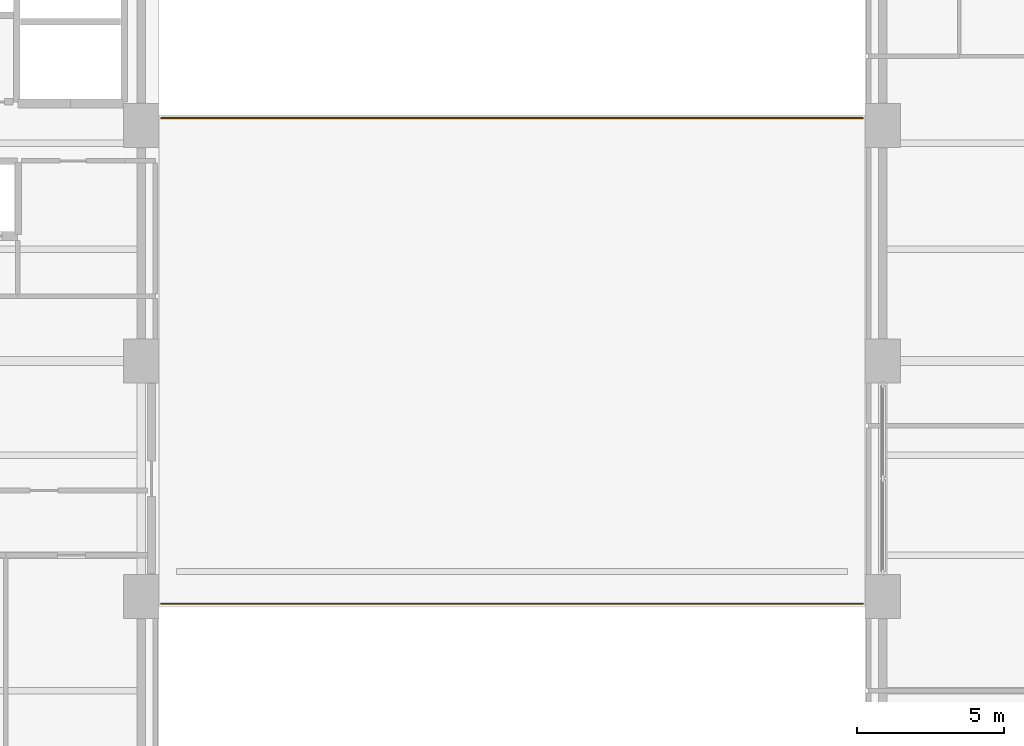
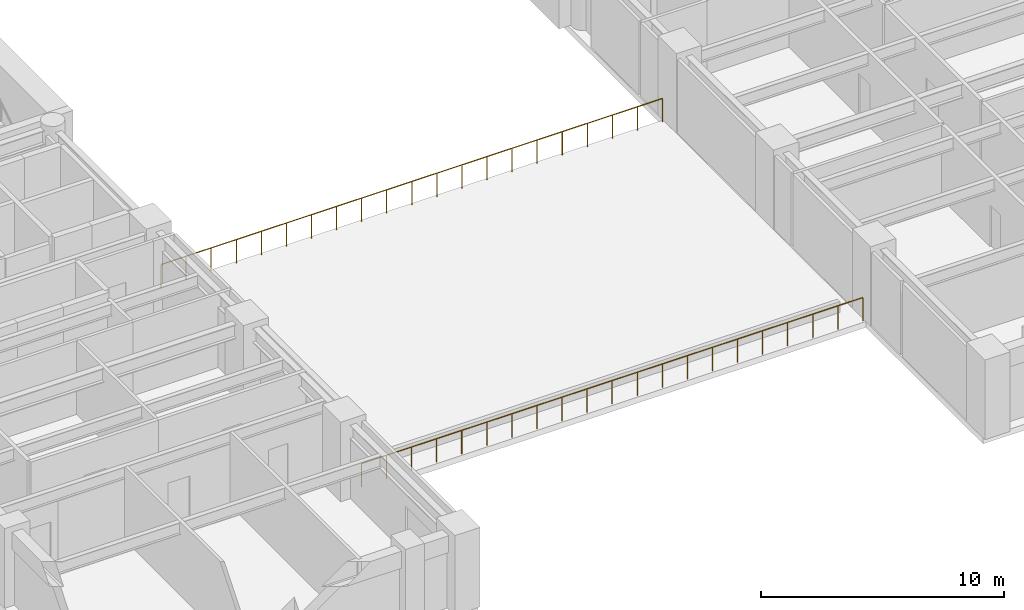
# One storey, part 8 of 10: 2 railings.
"""IFC4 building model written with IfcOpenShell, lengths in metres."""

from ifc_helpers import new_model, si_unit, direction, frame, origin, origin_2d, place, context, subcontext, project, spatial, circle, extrude, material, type_object, element, save


model = new_model("IFC4")

# Units and contexts
model_context = context("Model", 3, precision=1e-05, world=origin(), true_north=direction((0.0, 1.0)))
body_context = subcontext(model_context, "Body", "Model", "MODEL_VIEW")
ifc_project = project(units=[si_unit("LENGTHUNIT", "METRE"), si_unit("AREAUNIT", "SQUARE_METRE"), si_unit("VOLUMEUNIT", "CUBIC_METRE"), si_unit("PLANEANGLEUNIT", "RADIAN"), si_unit("MASSUNIT", "GRAM", prefix="KILO")], contexts=[model_context])

# Site, building, storey
site_placement = place(None, origin())
site = spatial("IfcSite", under=ifc_project, at=site_placement, CompositionType="ELEMENT")
building_placement = place(site_placement, origin())
building = spatial("IfcBuilding", under=site, at=building_placement, Name="Sulina Concourse Tower", CompositionType="ELEMENT")
storey_placement = place(building_placement, frame((0.0, 0.0, 30.60009765625)))
storey = spatial("IfcBuildingStorey", under=building, at=storey_placement, Name="L07", CompositionType="ELEMENT", Elevation=30.60009765625)

# Railings
ifc_material = material(Name="Laminated glass balustrade and steel post", Category="steel")
railing_type = type_object("IfcRailingType", Name="Terrace & Sky-Pool Laminated Guardrail 1200mm", PredefinedType="GUARDRAIL", material=ifc_material)
railing_1_placement = place(storey_placement, frame((17.080078125, 9.75, 0.0)))
element("IfcRailing", 1, at=railing_1_placement, inside=storey, type_object=railing_type, Name="L07 terrace guardrail TER-LP2-1", PredefinedType="GUARDRAIL", context=body_context, shape_type="SweptSolid", body=[
    extrude(circle(Radius=0.02490234375, at=origin_2d()), frame((0.0, 0.0, 1.1748046875), z_axis=(1.0, 0.0, 0.0), x_axis=(0.0, 1.0, 0.0)), (0.0, 0.0, 1.0), 23.83984375),
    extrude(circle(Radius=0.02099609375, at=origin_2d()), origin(), (0.0, 0.0, 1.0), 1.14990234375),
    extrude(circle(Radius=0.02099609375, at=origin_2d()), frame((1.19189453125, 0.0, 0.0)), (0.0, 0.0, 1.0), 1.14990234375),
    extrude(circle(Radius=0.02099609375, at=origin_2d()), frame((2.384033203125, 0.0, 0.0)), (0.0, 0.0, 1.0), 1.14990234375),
    extrude(circle(Radius=0.02099609375, at=origin_2d()), frame((3.575927734375, 0.0, 0.0)), (0.0, 0.0, 1.0), 1.14990234375),
    extrude(circle(Radius=0.02099609375, at=origin_2d()), frame((4.76806640625, 0.0, 0.0)), (0.0, 0.0, 1.0), 1.14990234375),
    extrude(circle(Radius=0.02099609375, at=origin_2d()), frame((5.9599609375, 0.0, 0.0)), (0.0, 0.0, 1.0), 1.14990234375),
    extrude(circle(Radius=0.02099609375, at=origin_2d()), frame((7.15185546875, 0.0, 0.0)), (0.0, 0.0, 1.0), 1.14990234375),
    extrude(circle(Radius=0.02099609375, at=origin_2d()), frame((8.343994140625, 0.0, 0.0)), (0.0, 0.0, 1.0), 1.14990234375),
    extrude(circle(Radius=0.02099609375, at=origin_2d()), frame((9.535888671875, 0.0, 0.0)), (0.0, 0.0, 1.0), 1.14990234375),
    extrude(circle(Radius=0.02099609375, at=origin_2d()), frame((10.72802734375, 0.0, 0.0)), (0.0, 0.0, 1.0), 1.14990234375),
    extrude(circle(Radius=0.02099609375, at=origin_2d()), frame((11.919921875, 0.0, 0.0)), (0.0, 0.0, 1.0), 1.14990234375),
    extrude(circle(Radius=0.02099609375, at=origin_2d()), frame((13.11181640625, 0.0, 0.0)), (0.0, 0.0, 1.0), 1.14990234375),
    extrude(circle(Radius=0.02099609375, at=origin_2d()), frame((14.303955078125, 0.0, 0.0)), (0.0, 0.0, 1.0), 1.14990234375),
    extrude(circle(Radius=0.02099609375, at=origin_2d()), frame((15.495849609375, 0.0, 0.0)), (0.0, 0.0, 1.0), 1.14990234375),
    extrude(circle(Radius=0.02099609375, at=origin_2d()), frame((16.68798828125, 0.0, 0.0)), (0.0, 0.0, 1.0), 1.14990234375),
    extrude(circle(Radius=0.02099609375, at=origin_2d()), frame((17.8798828125, 0.0, 0.0)), (0.0, 0.0, 1.0), 1.14990234375),
    extrude(circle(Radius=0.02099609375, at=origin_2d()), frame((19.07177734375, 0.0, 0.0)), (0.0, 0.0, 1.0), 1.14990234375),
    extrude(circle(Radius=0.02099609375, at=origin_2d()), frame((20.263916015625, 0.0, 0.0)), (0.0, 0.0, 1.0), 1.14990234375),
    extrude(circle(Radius=0.02099609375, at=origin_2d()), frame((21.455810546875, 0.0, 0.0)), (0.0, 0.0, 1.0), 1.14990234375),
    extrude(circle(Radius=0.02099609375, at=origin_2d()), frame((22.64794921875, 0.0, 0.0)), (0.0, 0.0, 1.0), 1.14990234375),
    extrude(circle(Radius=0.02099609375, at=origin_2d()), frame((23.83984375, 0.0, 0.0)), (0.0, 0.0, 1.0), 1.14990234375),
])
railing_2_placement = place(storey_placement, frame((17.080078125, 26.25, 0.0)))
element("IfcRailing", 2, at=railing_2_placement, inside=storey, type_object=railing_type, Name="L07 terrace guardrail TER-LP2-2", PredefinedType="GUARDRAIL", context=body_context, shape_type="SweptSolid", body=[
    extrude(circle(Radius=0.02490234375, at=origin_2d()), frame((0.0, 0.0, 1.1748046875), z_axis=(1.0, 0.0, 0.0), x_axis=(0.0, 1.0, 0.0)), (0.0, 0.0, 1.0), 23.83984375),
    extrude(circle(Radius=0.02099609375, at=origin_2d()), origin(), (0.0, 0.0, 1.0), 1.14990234375),
    extrude(circle(Radius=0.02099609375, at=origin_2d()), frame((1.19189453125, 0.0, 0.0)), (0.0, 0.0, 1.0), 1.14990234375),
    extrude(circle(Radius=0.02099609375, at=origin_2d()), frame((2.384033203125, 0.0, 0.0)), (0.0, 0.0, 1.0), 1.14990234375),
    extrude(circle(Radius=0.02099609375, at=origin_2d()), frame((3.575927734375, 0.0, 0.0)), (0.0, 0.0, 1.0), 1.14990234375),
    extrude(circle(Radius=0.02099609375, at=origin_2d()), frame((4.76806640625, 0.0, 0.0)), (0.0, 0.0, 1.0), 1.14990234375),
    extrude(circle(Radius=0.02099609375, at=origin_2d()), frame((5.9599609375, 0.0, 0.0)), (0.0, 0.0, 1.0), 1.14990234375),
    extrude(circle(Radius=0.02099609375, at=origin_2d()), frame((7.15185546875, 0.0, 0.0)), (0.0, 0.0, 1.0), 1.14990234375),
    extrude(circle(Radius=0.02099609375, at=origin_2d()), frame((8.343994140625, 0.0, 0.0)), (0.0, 0.0, 1.0), 1.14990234375),
    extrude(circle(Radius=0.02099609375, at=origin_2d()), frame((9.535888671875, 0.0, 0.0)), (0.0, 0.0, 1.0), 1.14990234375),
    extrude(circle(Radius=0.02099609375, at=origin_2d()), frame((10.72802734375, 0.0, 0.0)), (0.0, 0.0, 1.0), 1.14990234375),
    extrude(circle(Radius=0.02099609375, at=origin_2d()), frame((11.919921875, 0.0, 0.0)), (0.0, 0.0, 1.0), 1.14990234375),
    extrude(circle(Radius=0.02099609375, at=origin_2d()), frame((13.11181640625, 0.0, 0.0)), (0.0, 0.0, 1.0), 1.14990234375),
    extrude(circle(Radius=0.02099609375, at=origin_2d()), frame((14.303955078125, 0.0, 0.0)), (0.0, 0.0, 1.0), 1.14990234375),
    extrude(circle(Radius=0.02099609375, at=origin_2d()), frame((15.495849609375, 0.0, 0.0)), (0.0, 0.0, 1.0), 1.14990234375),
    extrude(circle(Radius=0.02099609375, at=origin_2d()), frame((16.68798828125, 0.0, 0.0)), (0.0, 0.0, 1.0), 1.14990234375),
    extrude(circle(Radius=0.02099609375, at=origin_2d()), frame((17.8798828125, 0.0, 0.0)), (0.0, 0.0, 1.0), 1.14990234375),
    extrude(circle(Radius=0.02099609375, at=origin_2d()), frame((19.07177734375, 0.0, 0.0)), (0.0, 0.0, 1.0), 1.14990234375),
    extrude(circle(Radius=0.02099609375, at=origin_2d()), frame((20.263916015625, 0.0, 0.0)), (0.0, 0.0, 1.0), 1.14990234375),
    extrude(circle(Radius=0.02099609375, at=origin_2d()), frame((21.455810546875, 0.0, 0.0)), (0.0, 0.0, 1.0), 1.14990234375),
    extrude(circle(Radius=0.02099609375, at=origin_2d()), frame((22.64794921875, 0.0, 0.0)), (0.0, 0.0, 1.0), 1.14990234375),
    extrude(circle(Radius=0.02099609375, at=origin_2d()), frame((23.83984375, 0.0, 0.0)), (0.0, 0.0, 1.0), 1.14990234375),
])

save(model, "model.ifc")
